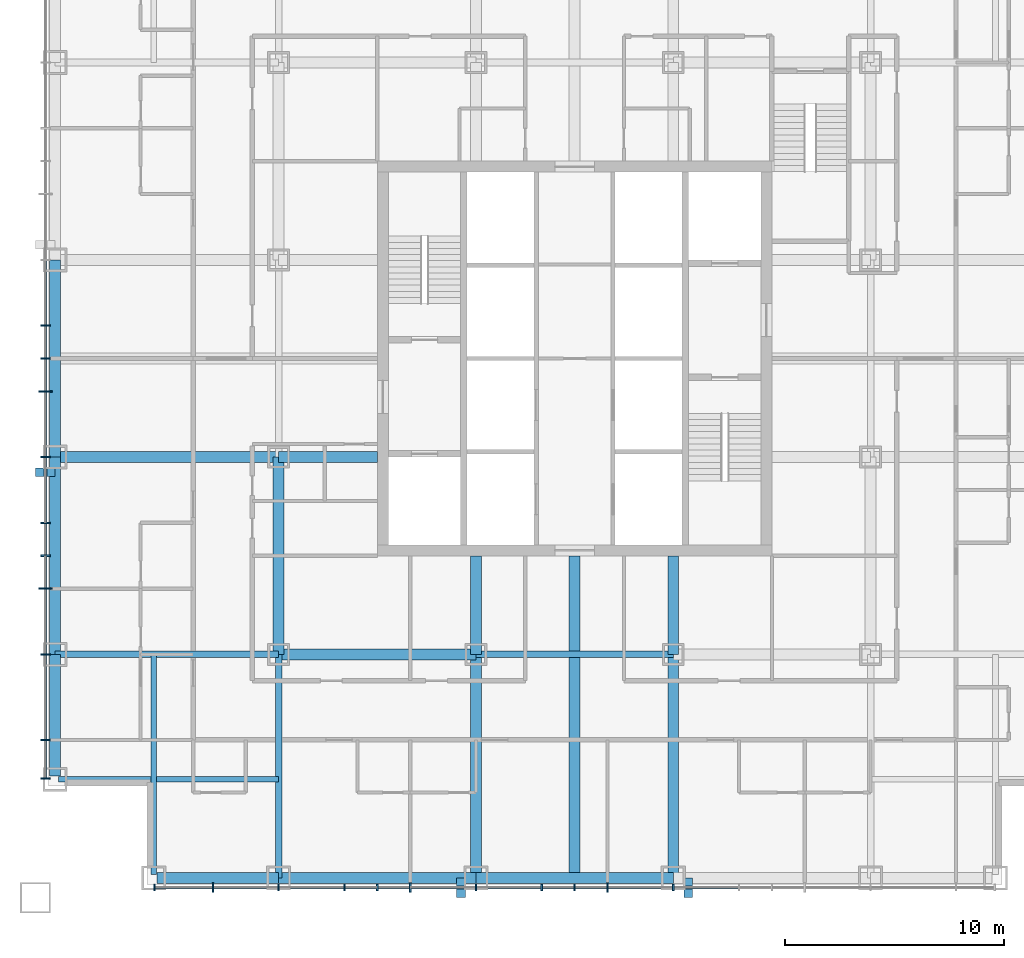
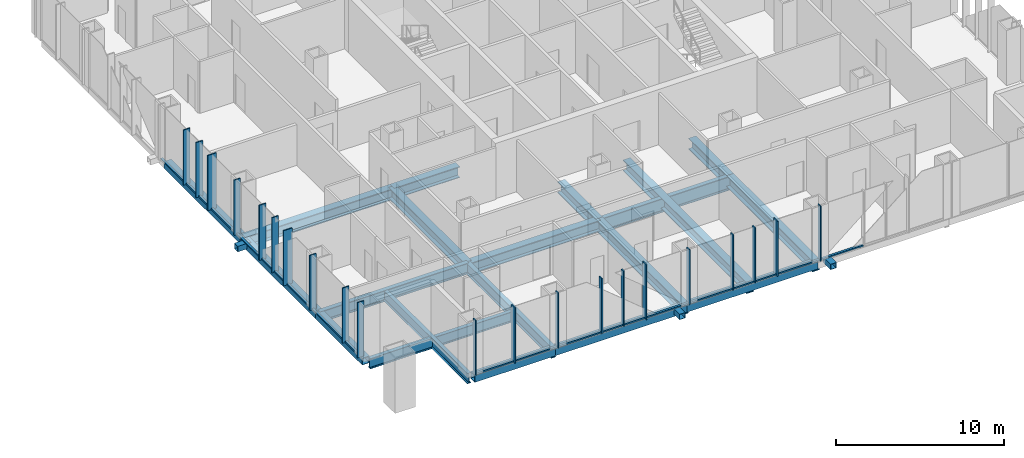
# One storey, part 2 of 18: 45 members, 20 beams, 2 elements without a shape of their own.
"""IFC4 building model written with IfcOpenShell, lengths in metres."""

from ifc_helpers import new_model, si_unit, direction, frame, origin, origin_2d, place, context, subcontext, project, spatial, rectangle, hollow_rectangle, i_section, extrude, material, layer, layer_set, material_profile, profile_set, type_object, element, aggregate, save


model = new_model("IFC4")

# Units and contexts
model_context = context("Model", 3, precision=1e-05, world=origin(), true_north=direction((0.0, 1.0)))
body_context = subcontext(model_context, "Body", "Model", "MODEL_VIEW")
ifc_project = project(units=[si_unit("LENGTHUNIT", "METRE"), si_unit("AREAUNIT", "SQUARE_METRE"), si_unit("VOLUMEUNIT", "CUBIC_METRE"), si_unit("PLANEANGLEUNIT", "RADIAN"), si_unit("MASSUNIT", "GRAM", prefix="KILO")], contexts=[model_context])

# Site, building, storey
site_placement = place(None, origin())
site = spatial("IfcSite", under=ifc_project, at=site_placement, CompositionType="ELEMENT")
building_placement = place(site_placement, origin())
building = spatial("IfcBuilding", under=site, at=building_placement, Name="Malebo Sky Hospital", CompositionType="ELEMENT")
storey_placement = place(building_placement, frame((0.0, 0.0, 124.0)))
storey = spatial("IfcBuildingStorey", under=building, at=storey_placement, Name="L29", CompositionType="ELEMENT", Elevation=124.0)

# Curtain wall, members
ifc_material_1 = material(Name="Anodised aluminium, natural silver", Category="aluminium")
ifc_layer_1 = layer(ifc_material_1, 0.25)
ifc_layer_set_1 = layer_set([ifc_layer_1], Name="WARD CURTAIN WALL EAST AND WEST")
curtain_wall_type_1 = type_object("IfcCurtainWallType", Name="WARD CURTAIN WALL EAST AND WEST", PredefinedType="NOTDEFINED", material=ifc_layer_set_1)
curtain_wall_1_placement = place(storey_placement, origin())
curtain_wall_1 = element("IfcCurtainWall", 1, at=curtain_wall_1_placement, inside=storey, type_object=curtain_wall_type_1, Name="EW curtain wall W", PredefinedType="NOTDEFINED")
ifc_material_profile_1 = material_profile(ifc_material_1, rectangle(XDim=0.14990234375, YDim=0.10009765625, at=origin_2d()), Name="ALUMINIUM TRANSOM 150x100")
ifc_profile_set_1 = profile_set([ifc_material_profile_1], Name="Anodised aluminium, natural silver")
member_type_1 = type_object("IfcMemberType", Name="ALUMINIUM TRANSOM 150x100", PredefinedType="USERDEFINED", material=ifc_profile_set_1)
member_1_placement = place(storey_placement, frame((35.864990234375, 42.875, 0.050048828125), z_axis=(0.0, 1.0, 0.0), x_axis=(-1.0, 0.0, 0.0)))
member_1 = element("IfcMember", 2, at=member_1_placement, type_object=member_type_1, Name="Transom 1", ObjectType="TRANSOM", PredefinedType="USERDEFINED", context=body_context, shape_type="SweptSolid", body=[
    extrude(rectangle(XDim=0.14990234375, YDim=0.10009765625, at=origin_2d()), origin(), (0.0, 0.0, 1.0), 1.6875),
])
member_2_placement = place(storey_placement, frame((35.864990234375, 44.637451171875, 0.050048828125), z_axis=(0.0, 1.0, 0.0), x_axis=(-1.0, 0.0, 0.0)))
member_2 = element("IfcMember", 3, at=member_2_placement, type_object=member_type_1, Name="Transom 2", ObjectType="TRANSOM", PredefinedType="USERDEFINED", context=body_context, shape_type="SweptSolid", body=[
    extrude(rectangle(XDim=0.14990234375, YDim=0.10009765625, at=origin_2d()), origin(), (0.0, 0.0, 1.0), 3.824951171875),
])
member_3_placement = place(storey_placement, frame((35.864990234375, 48.53759765625, 0.050048828125), z_axis=(0.0, 1.0, 0.0), x_axis=(-1.0, 0.0, 0.0)))
member_3 = element("IfcMember", 4, at=member_3_placement, type_object=member_type_1, Name="Transom 3", ObjectType="TRANSOM", PredefinedType="USERDEFINED", context=body_context, shape_type="SweptSolid", body=[
    extrude(rectangle(XDim=0.14990234375, YDim=0.10009765625, at=origin_2d()), origin(), (0.0, 0.0, 1.0), 2.9248046875),
])
member_4_placement = place(storey_placement, frame((35.864990234375, 51.53759765625, 0.050048828125), z_axis=(0.0, 1.0, 0.0), x_axis=(-1.0, 0.0, 0.0)))
member_4 = element("IfcMember", 5, at=member_4_placement, type_object=member_type_1, Name="Transom 4", ObjectType="TRANSOM", PredefinedType="USERDEFINED", context=body_context, shape_type="SweptSolid", body=[
    extrude(rectangle(XDim=0.14990234375, YDim=0.10009765625, at=origin_2d()), origin(), (0.0, 0.0, 1.0), 1.4248046875),
])
member_5_placement = place(storey_placement, frame((35.864990234375, 53.03759765625, 0.050048828125), z_axis=(0.0, 1.0, 0.0), x_axis=(-1.0, 0.0, 0.0)))
member_5 = element("IfcMember", 6, at=member_5_placement, type_object=member_type_1, Name="Transom 5", ObjectType="TRANSOM", PredefinedType="USERDEFINED", context=body_context, shape_type="SweptSolid", body=[
    extrude(rectangle(XDim=0.14990234375, YDim=0.10009765625, at=origin_2d()), origin(), (0.0, 0.0, 1.0), 1.4248046875),
])
member_6_placement = place(storey_placement, frame((35.864990234375, 54.53759765625, 0.050048828125), z_axis=(0.0, 1.0, 0.0), x_axis=(-1.0, 0.0, 0.0)))
member_6 = element("IfcMember", 7, at=member_6_placement, type_object=member_type_1, Name="Transom 6", ObjectType="TRANSOM", PredefinedType="USERDEFINED", context=body_context, shape_type="SweptSolid", body=[
    extrude(rectangle(XDim=0.14990234375, YDim=0.10009765625, at=origin_2d()), origin(), (0.0, 0.0, 1.0), 2.9248046875),
])
member_7_placement = place(storey_placement, frame((35.864990234375, 57.53759765625, 0.050048828125), z_axis=(0.0, 1.0, 0.0), x_axis=(-1.0, 0.0, 0.0)))
member_7 = element("IfcMember", 8, at=member_7_placement, type_object=member_type_1, Name="Transom 7", ObjectType="TRANSOM", PredefinedType="USERDEFINED", context=body_context, shape_type="SweptSolid", body=[
    extrude(rectangle(XDim=0.14990234375, YDim=0.10009765625, at=origin_2d()), origin(), (0.0, 0.0, 1.0), 2.9248046875),
])
member_8_placement = place(storey_placement, frame((35.864990234375, 60.53759765625, 0.050048828125), z_axis=(0.0, 1.0, 0.0), x_axis=(-1.0, 0.0, 0.0)))
member_8 = element("IfcMember", 9, at=member_8_placement, type_object=member_type_1, Name="Transom 8", ObjectType="TRANSOM", PredefinedType="USERDEFINED", context=body_context, shape_type="SweptSolid", body=[
    extrude(rectangle(XDim=0.14990234375, YDim=0.10009765625, at=origin_2d()), origin(), (0.0, 0.0, 1.0), 1.4248046875),
])
member_9_placement = place(storey_placement, frame((35.864990234375, 62.03759765625, 0.050048828125), z_axis=(0.0, 1.0, 0.0), x_axis=(-1.0, 0.0, 0.0)))
member_9 = element("IfcMember", 10, at=member_9_placement, type_object=member_type_1, Name="Transom 9", ObjectType="TRANSOM", PredefinedType="USERDEFINED", context=body_context, shape_type="SweptSolid", body=[
    extrude(rectangle(XDim=0.14990234375, YDim=0.10009765625, at=origin_2d()), origin(), (0.0, 0.0, 1.0), 1.4248046875),
])
member_10_placement = place(storey_placement, frame((35.864990234375, 63.53759765625, 0.050048828125), z_axis=(0.0, 1.0, 0.0), x_axis=(-1.0, 0.0, 0.0)))
member_10 = element("IfcMember", 11, at=member_10_placement, type_object=member_type_1, Name="Transom 10", ObjectType="TRANSOM", PredefinedType="USERDEFINED", context=body_context, shape_type="SweptSolid", body=[
    extrude(rectangle(XDim=0.14990234375, YDim=0.10009765625, at=origin_2d()), origin(), (0.0, 0.0, 1.0), 2.9248046875),
])

ifc_layer_2 = layer(ifc_material_1, 0.25)
ifc_layer_set_2 = layer_set([ifc_layer_2], Name="WARD CURTAIN WALL NORTH AND SOUTH")
curtain_wall_type_2 = type_object("IfcCurtainWallType", Name="WARD CURTAIN WALL NORTH AND SOUTH", PredefinedType="NOTDEFINED", material=ifc_layer_set_2)
curtain_wall_2_placement = place(storey_placement, origin())
curtain_wall_2 = element("IfcCurtainWall", 12, at=curtain_wall_2_placement, inside=storey, type_object=curtain_wall_type_2, Name="NS curtain wall S", PredefinedType="NOTDEFINED")
member_11_placement = place(storey_placement, frame((67.46240234375, 37.864990234375, 0.050048828125), z_axis=(-1.0, 0.0, 0.0), x_axis=(0.0, -1.0, 0.0)))
member_11 = element("IfcMember", 13, at=member_11_placement, type_object=member_type_1, Name="Transom 6", ObjectType="TRANSOM", PredefinedType="USERDEFINED", context=body_context, shape_type="SweptSolid", body=[
    extrude(rectangle(XDim=0.14990234375, YDim=0.10009765625, at=origin_2d()), origin(), (0.0, 0.0, 1.0), 2.9248046875),
])
member_12_placement = place(storey_placement, frame((64.46240234375, 37.864990234375, 0.050048828125), z_axis=(-1.0, 0.0, 0.0), x_axis=(0.0, -1.0, 0.0)))
member_12 = element("IfcMember", 14, at=member_12_placement, type_object=member_type_1, Name="Transom 7", ObjectType="TRANSOM", PredefinedType="USERDEFINED", context=body_context, shape_type="SweptSolid", body=[
    extrude(rectangle(XDim=0.14990234375, YDim=0.10009765625, at=origin_2d()), origin(), (0.0, 0.0, 1.0), 2.9248046875),
])
member_13_placement = place(storey_placement, frame((61.46240234375, 37.864990234375, 0.050048828125), z_axis=(-1.0, 0.0, 0.0), x_axis=(0.0, -1.0, 0.0)))
member_13 = element("IfcMember", 15, at=member_13_placement, type_object=member_type_1, Name="Transom 8", ObjectType="TRANSOM", PredefinedType="USERDEFINED", context=body_context, shape_type="SweptSolid", body=[
    extrude(rectangle(XDim=0.14990234375, YDim=0.10009765625, at=origin_2d()), origin(), (0.0, 0.0, 1.0), 1.4248046875),
])
member_14_placement = place(storey_placement, frame((59.96240234375, 37.864990234375, 0.050048828125), z_axis=(-1.0, 0.0, 0.0), x_axis=(0.0, -1.0, 0.0)))
member_14 = element("IfcMember", 16, at=member_14_placement, type_object=member_type_1, Name="Transom 9", ObjectType="TRANSOM", PredefinedType="USERDEFINED", context=body_context, shape_type="SweptSolid", body=[
    extrude(rectangle(XDim=0.14990234375, YDim=0.10009765625, at=origin_2d()), origin(), (0.0, 0.0, 1.0), 1.4248046875),
])
member_15_placement = place(storey_placement, frame((58.46240234375, 37.864990234375, 0.050048828125), z_axis=(-1.0, 0.0, 0.0), x_axis=(0.0, -1.0, 0.0)))
member_15 = element("IfcMember", 17, at=member_15_placement, type_object=member_type_1, Name="Transom 10", ObjectType="TRANSOM", PredefinedType="USERDEFINED", context=body_context, shape_type="SweptSolid", body=[
    extrude(rectangle(XDim=0.14990234375, YDim=0.10009765625, at=origin_2d()), origin(), (0.0, 0.0, 1.0), 2.9248046875),
])
member_16_placement = place(storey_placement, frame((55.46240234375, 37.864990234375, 0.050048828125), z_axis=(-1.0, 0.0, 0.0), x_axis=(0.0, -1.0, 0.0)))
member_16 = element("IfcMember", 18, at=member_16_placement, type_object=member_type_1, Name="Transom 11", ObjectType="TRANSOM", PredefinedType="USERDEFINED", context=body_context, shape_type="SweptSolid", body=[
    extrude(rectangle(XDim=0.14990234375, YDim=0.10009765625, at=origin_2d()), origin(), (0.0, 0.0, 1.0), 2.9248046875),
])
member_17_placement = place(storey_placement, frame((52.46240234375, 37.864990234375, 0.050048828125), z_axis=(-1.0, 0.0, 0.0), x_axis=(0.0, -1.0, 0.0)))
member_17 = element("IfcMember", 19, at=member_17_placement, type_object=member_type_1, Name="Transom 12", ObjectType="TRANSOM", PredefinedType="USERDEFINED", context=body_context, shape_type="SweptSolid", body=[
    extrude(rectangle(XDim=0.14990234375, YDim=0.10009765625, at=origin_2d()), origin(), (0.0, 0.0, 1.0), 1.4248046875),
])
member_18_placement = place(storey_placement, frame((50.96240234375, 37.864990234375, 0.050048828125), z_axis=(-1.0, 0.0, 0.0), x_axis=(0.0, -1.0, 0.0)))
member_18 = element("IfcMember", 20, at=member_18_placement, type_object=member_type_1, Name="Transom 13", ObjectType="TRANSOM", PredefinedType="USERDEFINED", context=body_context, shape_type="SweptSolid", body=[
    extrude(rectangle(XDim=0.14990234375, YDim=0.10009765625, at=origin_2d()), origin(), (0.0, 0.0, 1.0), 1.4248046875),
])
member_19_placement = place(storey_placement, frame((49.46240234375, 37.864990234375, 0.050048828125), z_axis=(-1.0, 0.0, 0.0), x_axis=(0.0, -1.0, 0.0)))
member_19 = element("IfcMember", 21, at=member_19_placement, type_object=member_type_1, Name="Transom 14", ObjectType="TRANSOM", PredefinedType="USERDEFINED", context=body_context, shape_type="SweptSolid", body=[
    extrude(rectangle(XDim=0.14990234375, YDim=0.10009765625, at=origin_2d()), origin(), (0.0, 0.0, 1.0), 2.9248046875),
])
member_20_placement = place(storey_placement, frame((46.46240234375, 37.864990234375, 0.050048828125), z_axis=(-1.0, 0.0, 0.0), x_axis=(0.0, -1.0, 0.0)))
member_20 = element("IfcMember", 22, at=member_20_placement, type_object=member_type_1, Name="Transom 15", ObjectType="TRANSOM", PredefinedType="USERDEFINED", context=body_context, shape_type="SweptSolid", body=[
    extrude(rectangle(XDim=0.14990234375, YDim=0.10009765625, at=origin_2d()), origin(), (0.0, 0.0, 1.0), 2.9248046875),
])
member_21_placement = place(storey_placement, frame((43.46240234375, 37.864990234375, 0.050048828125), z_axis=(-1.0, 0.0, 0.0), x_axis=(0.0, -1.0, 0.0)))
member_21 = element("IfcMember", 23, at=member_21_placement, type_object=member_type_1, Name="Transom 16", ObjectType="TRANSOM", PredefinedType="USERDEFINED", context=body_context, shape_type="SweptSolid", body=[
    extrude(rectangle(XDim=0.14990234375, YDim=0.10009765625, at=origin_2d()), origin(), (0.0, 0.0, 1.0), 2.58740234375),
])

# Members
ifc_material_2 = material(Name="Steel S355", Category="steel")
ifc_material_profile_2 = material_profile(ifc_material_2, hollow_rectangle(XDim=0.39990234375, YDim=0.39990234375, WallThickness=0.02001953125, at=origin_2d()), Name="SHS 400x20")
ifc_profile_set_2 = profile_set([ifc_material_profile_2], Name="Steel S355")
member_type_2 = type_object("IfcMemberType", Name="BRACE STRUT SHS 400x20", PredefinedType="STRUT", material=ifc_profile_set_2)
for number, where, z_axis, x_axis, name in (
    (24, (65.18701171875, 37.39990234375, -0.39990234375), (0.0, 1.0, 0.0), (-1.0, 0.0, 0.0), "Brace strut BS1 L29"),
    (25, (54.81298828125, 37.39990234375, -0.39990234375), (0.0, 1.0, 0.0), (-1.0, 0.0, 0.0), "Brace strut BS2 L29"),
    (26, (35.39990234375, 56.81298828125, -0.39990234375), (1.0, 0.0, 0.0), (0.0, 1.0, 0.0), "Brace strut BW1 L29"),
):
    element("IfcMember", number, at=place(storey_placement, frame(where, z_axis=z_axis, x_axis=x_axis)), inside=storey, type_object=member_type_2, Name=name, PredefinedType="STRUT", context=body_context, shape_type="SweptSolid", body=[
        extrude(hollow_rectangle(XDim=0.39990234375, YDim=0.39990234375, WallThickness=0.02001953125, at=origin_2d()), origin(), (0.0, 0.0, 1.0), 0.900146484375),
    ])

# Member
ifc_material_profile_3 = material_profile(ifc_material_1, rectangle(XDim=0.074951171875, YDim=0.300048828125, at=origin_2d()), Name="CW1 ALUMINIUM FIN MULLION 75x300")
ifc_profile_set_3 = profile_set([ifc_material_profile_3], Name="Anodised aluminium, natural silver")
member_type_3 = type_object("IfcMemberType", Name="CW1 ALUMINIUM FIN MULLION 75x300", PredefinedType="MULLION", material=ifc_profile_set_3)
member_22_placement = place(storey_placement, frame((64.5, 37.864990234375, 0.0), z_axis=(0.0, 0.0, 1.0), x_axis=(-1.0, 0.0, 0.0)))
member_22 = element("IfcMember", 27, at=member_22_placement, type_object=member_type_3, Name="Fin mullion 7", PredefinedType="MULLION", context=body_context, shape_type="SweptSolid", body=[
    extrude(rectangle(XDim=0.074951171875, YDim=0.300048828125, at=origin_2d()), origin(), (0.0, 0.0, 1.0), 4.0),
])

member_23_placement = place(storey_placement, frame((60.0, 37.864990234375, 0.0), z_axis=(0.0, 0.0, 1.0), x_axis=(-1.0, 0.0, 0.0)))
member_23 = element("IfcMember", 28, at=member_23_placement, type_object=member_type_3, Name="Fin mullion 9", PredefinedType="MULLION", context=body_context, shape_type="SweptSolid", body=[
    extrude(rectangle(XDim=0.074951171875, YDim=0.300048828125, at=origin_2d()), origin(), (0.0, 0.0, 1.0), 4.0),
])

member_24_placement = place(storey_placement, frame((58.5, 37.864990234375, 0.0), z_axis=(0.0, 0.0, 1.0), x_axis=(-1.0, 0.0, 0.0)))
member_24 = element("IfcMember", 29, at=member_24_placement, type_object=member_type_3, Name="Fin mullion 10", PredefinedType="MULLION", context=body_context, shape_type="SweptSolid", body=[
    extrude(rectangle(XDim=0.074951171875, YDim=0.300048828125, at=origin_2d()), origin(), (0.0, 0.0, 1.0), 4.0),
])

member_25_placement = place(storey_placement, frame((55.5, 37.864990234375, 0.0), z_axis=(0.0, 0.0, 1.0), x_axis=(-1.0, 0.0, 0.0)))
member_25 = element("IfcMember", 30, at=member_25_placement, type_object=member_type_3, Name="Fin mullion 11", PredefinedType="MULLION", context=body_context, shape_type="SweptSolid", body=[
    extrude(rectangle(XDim=0.074951171875, YDim=0.300048828125, at=origin_2d()), origin(), (0.0, 0.0, 1.0), 4.0),
])

member_26_placement = place(storey_placement, frame((51.0, 37.864990234375, 0.0), z_axis=(0.0, 0.0, 1.0), x_axis=(-1.0, 0.0, 0.0)))
member_26 = element("IfcMember", 31, at=member_26_placement, type_object=member_type_3, Name="Fin mullion 13", PredefinedType="MULLION", context=body_context, shape_type="SweptSolid", body=[
    extrude(rectangle(XDim=0.074951171875, YDim=0.300048828125, at=origin_2d()), origin(), (0.0, 0.0, 1.0), 4.0),
])

member_27_placement = place(storey_placement, frame((49.5, 37.864990234375, 0.0), z_axis=(0.0, 0.0, 1.0), x_axis=(-1.0, 0.0, 0.0)))
member_27 = element("IfcMember", 32, at=member_27_placement, type_object=member_type_3, Name="Fin mullion 14", PredefinedType="MULLION", context=body_context, shape_type="SweptSolid", body=[
    extrude(rectangle(XDim=0.074951171875, YDim=0.300048828125, at=origin_2d()), origin(), (0.0, 0.0, 1.0), 4.0),
])

member_28_placement = place(storey_placement, frame((46.5, 37.864990234375, 0.0), z_axis=(0.0, 0.0, 1.0), x_axis=(-1.0, 0.0, 0.0)))
member_28 = element("IfcMember", 33, at=member_28_placement, type_object=member_type_3, Name="Fin mullion 15", PredefinedType="MULLION", context=body_context, shape_type="SweptSolid", body=[
    extrude(rectangle(XDim=0.074951171875, YDim=0.300048828125, at=origin_2d()), origin(), (0.0, 0.0, 1.0), 4.0),
])

member_29_placement = place(storey_placement, frame((40.83740234375, 37.864990234375, 0.0), z_axis=(0.0, 0.0, 1.0), x_axis=(-1.0, 0.0, 0.0)))
member_29 = element("IfcMember", 34, at=member_29_placement, type_object=member_type_3, Name="Fin mullion 17", PredefinedType="MULLION", context=body_context, shape_type="SweptSolid", body=[
    extrude(rectangle(XDim=0.074951171875, YDim=0.300048828125, at=origin_2d()), origin(), (0.0, 0.0, 1.0), 4.0),
])

ifc_material_profile_4 = material_profile(ifc_material_1, rectangle(XDim=0.074951171875, YDim=0.449951171875, at=origin_2d()), Name="CW1 ALUMINIUM FIN MULLION 75x450")
ifc_profile_set_4 = profile_set([ifc_material_profile_4], Name="Anodised aluminium, natural silver")
member_type_4 = type_object("IfcMemberType", Name="CW1 ALUMINIUM FIN MULLION 75x450", PredefinedType="MULLION", material=ifc_profile_set_4)
member_30_placement = place(storey_placement, frame((61.5, 37.864990234375, 0.0), z_axis=(0.0, 0.0, 1.0), x_axis=(-1.0, 0.0, 0.0)))
member_30 = element("IfcMember", 35, at=member_30_placement, type_object=member_type_4, Name="Fin mullion 8", PredefinedType="MULLION", context=body_context, shape_type="SweptSolid", body=[
    extrude(rectangle(XDim=0.074951171875, YDim=0.449951171875, at=origin_2d()), origin(), (0.0, 0.0, 1.0), 4.0),
])

member_31_placement = place(storey_placement, frame((52.5, 37.864990234375, 0.0), z_axis=(0.0, 0.0, 1.0), x_axis=(-1.0, 0.0, 0.0)))
member_31 = element("IfcMember", 36, at=member_31_placement, type_object=member_type_4, Name="Fin mullion 12", PredefinedType="MULLION", context=body_context, shape_type="SweptSolid", body=[
    extrude(rectangle(XDim=0.074951171875, YDim=0.449951171875, at=origin_2d()), origin(), (0.0, 0.0, 1.0), 4.0),
])

member_32_placement = place(storey_placement, frame((43.5, 37.864990234375, 0.0), z_axis=(0.0, 0.0, 1.0), x_axis=(-1.0, 0.0, 0.0)))
member_32 = element("IfcMember", 37, at=member_32_placement, type_object=member_type_4, Name="Fin mullion 16", PredefinedType="MULLION", context=body_context, shape_type="SweptSolid", body=[
    extrude(rectangle(XDim=0.074951171875, YDim=0.449951171875, at=origin_2d()), origin(), (0.0, 0.0, 1.0), 4.0),
])

aggregate(curtain_wall_2, [member_22, member_30, member_23, member_24, member_25, member_31, member_26, member_27, member_28, member_32, member_29, member_11, member_12, member_13, member_14, member_15, member_16, member_17, member_18, member_19, member_20, member_21])

ifc_material_profile_5 = material_profile(ifc_material_1, rectangle(XDim=0.074951171875, YDim=0.449951171875, at=origin_2d()), Name="CW2 ALUMINIUM FIN MULLION 75x450")
ifc_profile_set_5 = profile_set([ifc_material_profile_5], Name="Anodised aluminium, natural silver")
member_type_5 = type_object("IfcMemberType", Name="CW2 ALUMINIUM FIN MULLION 75x450", PredefinedType="MULLION", material=ifc_profile_set_5)
member_33_placement = place(storey_placement, frame((35.864990234375, 42.83740234375, 0.0), z_axis=(0.0, 0.0, 1.0), x_axis=(0.0, 1.0, 0.0)))
member_33 = element("IfcMember", 38, at=member_33_placement, type_object=member_type_5, Name="Fin mullion 1", PredefinedType="MULLION", context=body_context, shape_type="SweptSolid", body=[
    extrude(rectangle(XDim=0.074951171875, YDim=0.449951171875, at=origin_2d()), origin(), (0.0, 0.0, 1.0), 4.0),
])

member_34_placement = place(storey_placement, frame((35.864990234375, 44.60009765625, 0.0), z_axis=(0.0, 0.0, 1.0), x_axis=(0.0, 1.0, 0.0)))
member_34 = element("IfcMember", 39, at=member_34_placement, type_object=member_type_5, Name="Fin mullion 2", PredefinedType="MULLION", context=body_context, shape_type="SweptSolid", body=[
    extrude(rectangle(XDim=0.074951171875, YDim=0.449951171875, at=origin_2d()), origin(), (0.0, 0.0, 1.0), 4.0),
])

member_35_placement = place(storey_placement, frame((35.864990234375, 48.5, 0.0), z_axis=(0.0, 0.0, 1.0), x_axis=(0.0, 1.0, 0.0)))
member_35 = element("IfcMember", 40, at=member_35_placement, type_object=member_type_5, Name="Fin mullion 3", PredefinedType="MULLION", context=body_context, shape_type="SweptSolid", body=[
    extrude(rectangle(XDim=0.074951171875, YDim=0.449951171875, at=origin_2d()), origin(), (0.0, 0.0, 1.0), 4.0),
])

member_36_placement = place(storey_placement, frame((35.864990234375, 53.0, 0.0), z_axis=(0.0, 0.0, 1.0), x_axis=(0.0, 1.0, 0.0)))
member_36 = element("IfcMember", 41, at=member_36_placement, type_object=member_type_5, Name="Fin mullion 5", PredefinedType="MULLION", context=body_context, shape_type="SweptSolid", body=[
    extrude(rectangle(XDim=0.074951171875, YDim=0.449951171875, at=origin_2d()), origin(), (0.0, 0.0, 1.0), 4.0),
])

member_37_placement = place(storey_placement, frame((35.864990234375, 54.5, 0.0), z_axis=(0.0, 0.0, 1.0), x_axis=(0.0, 1.0, 0.0)))
member_37 = element("IfcMember", 42, at=member_37_placement, type_object=member_type_5, Name="Fin mullion 6", PredefinedType="MULLION", context=body_context, shape_type="SweptSolid", body=[
    extrude(rectangle(XDim=0.074951171875, YDim=0.449951171875, at=origin_2d()), origin(), (0.0, 0.0, 1.0), 4.0),
])

member_38_placement = place(storey_placement, frame((35.864990234375, 57.5, 0.0), z_axis=(0.0, 0.0, 1.0), x_axis=(0.0, 1.0, 0.0)))
member_38 = element("IfcMember", 43, at=member_38_placement, type_object=member_type_5, Name="Fin mullion 7", PredefinedType="MULLION", context=body_context, shape_type="SweptSolid", body=[
    extrude(rectangle(XDim=0.074951171875, YDim=0.449951171875, at=origin_2d()), origin(), (0.0, 0.0, 1.0), 4.0),
])

member_39_placement = place(storey_placement, frame((35.864990234375, 62.0, 0.0), z_axis=(0.0, 0.0, 1.0), x_axis=(0.0, 1.0, 0.0)))
member_39 = element("IfcMember", 44, at=member_39_placement, type_object=member_type_5, Name="Fin mullion 9", PredefinedType="MULLION", context=body_context, shape_type="SweptSolid", body=[
    extrude(rectangle(XDim=0.074951171875, YDim=0.449951171875, at=origin_2d()), origin(), (0.0, 0.0, 1.0), 4.0),
])

member_40_placement = place(storey_placement, frame((35.864990234375, 63.5, 0.0), z_axis=(0.0, 0.0, 1.0), x_axis=(0.0, 1.0, 0.0)))
member_40 = element("IfcMember", 45, at=member_40_placement, type_object=member_type_5, Name="Fin mullion 10", PredefinedType="MULLION", context=body_context, shape_type="SweptSolid", body=[
    extrude(rectangle(XDim=0.074951171875, YDim=0.449951171875, at=origin_2d()), origin(), (0.0, 0.0, 1.0), 4.0),
])

ifc_material_profile_6 = material_profile(ifc_material_1, rectangle(XDim=0.074951171875, YDim=0.60009765625, at=origin_2d()), Name="CW2 ALUMINIUM FIN MULLION 75x600")
ifc_profile_set_6 = profile_set([ifc_material_profile_6], Name="Anodised aluminium, natural silver")
member_type_6 = type_object("IfcMemberType", Name="CW2 ALUMINIUM FIN MULLION 75x600", PredefinedType="MULLION", material=ifc_profile_set_6)
member_41_placement = place(storey_placement, frame((35.864990234375, 51.5, 0.0), z_axis=(0.0, 0.0, 1.0), x_axis=(0.0, 1.0, 0.0)))
member_41 = element("IfcMember", 46, at=member_41_placement, type_object=member_type_6, Name="Fin mullion 4", PredefinedType="MULLION", context=body_context, shape_type="SweptSolid", body=[
    extrude(rectangle(XDim=0.074951171875, YDim=0.60009765625, at=origin_2d()), origin(), (0.0, 0.0, 1.0), 4.0),
])

member_42_placement = place(storey_placement, frame((35.864990234375, 60.5, 0.0), z_axis=(0.0, 0.0, 1.0), x_axis=(0.0, 1.0, 0.0)))
member_42 = element("IfcMember", 47, at=member_42_placement, type_object=member_type_6, Name="Fin mullion 8", PredefinedType="MULLION", context=body_context, shape_type="SweptSolid", body=[
    extrude(rectangle(XDim=0.074951171875, YDim=0.60009765625, at=origin_2d()), origin(), (0.0, 0.0, 1.0), 4.0),
])

aggregate(curtain_wall_1, [member_33, member_34, member_35, member_41, member_36, member_37, member_38, member_42, member_39, member_40, member_1, member_2, member_3, member_4, member_5, member_6, member_7, member_8, member_9, member_10])

# Beams
ifc_material_3 = material(Name="Steel S460", Category="steel")
ifc_material_profile_7 = material_profile(ifc_material_3, hollow_rectangle(XDim=0.5, YDim=0.5, WallThickness=0.030029296875, at=origin_2d()), Name="BOX 500x500x30")
ifc_profile_set_7 = profile_set([ifc_material_profile_7], Name="Steel S460")
beam_type_1 = type_object("IfcBeamType", Name="EDGE BEAM BOX 500x500x30", PredefinedType="BEAM", material=ifc_profile_set_7)
beam_1_placement = place(storey_placement, frame((36.300048828125, 42.949951171875, -0.5), z_axis=(0.0, 1.0, 0.0), x_axis=(-1.0, 0.0, 0.0)))
element("IfcBeam", 48, at=beam_1_placement, inside=storey, type_object=beam_type_1, Name="Beam 000 L29", PredefinedType="BEAM", context=body_context, shape_type="SweptSolid", body=[
    extrude(hollow_rectangle(XDim=0.5, YDim=0.5, WallThickness=0.030029296875, at=origin_2d()), origin(), (0.0, 0.0, 1.0), 5.550048828125),
])
for number, where, z_axis, x_axis, name in (
    (49, (36.300048828125, 48.5, -0.5), (0.0, 1.0, 0.0), (-1.0, 0.0, 0.0), "Beam 001 L29"),
    (50, (36.300048828125, 57.5, -0.5), (0.0, 1.0, 0.0), (-1.0, 0.0, 0.0), "Beam 002 L29"),
):
    element("IfcBeam", number, at=place(storey_placement, frame(where, z_axis=z_axis, x_axis=x_axis)), inside=storey, type_object=beam_type_1, Name=name, PredefinedType="BEAM", context=body_context, shape_type="SweptSolid", body=[
        extrude(hollow_rectangle(XDim=0.5, YDim=0.5, WallThickness=0.030029296875, at=origin_2d()), origin(), (0.0, 0.0, 1.0), 9.0),
    ])
beam_2_placement = place(storey_placement, frame((40.949951171875, 38.300048828125, -0.5), z_axis=(1.0, 0.0, 0.0), x_axis=(0.0, 1.0, 0.0)))
element("IfcBeam", 51, at=beam_2_placement, inside=storey, type_object=beam_type_1, Name="Beam 034 L29", PredefinedType="BEAM", context=body_context, shape_type="SweptSolid", body=[
    extrude(hollow_rectangle(XDim=0.5, YDim=0.5, WallThickness=0.030029296875, at=origin_2d()), origin(), (0.0, 0.0, 1.0), 5.550048828125),
])
for number, where, z_axis, x_axis, name in (
    (52, (46.5, 38.300048828125, -0.5), (1.0, 0.0, 0.0), (0.0, 1.0, 0.0), "Beam 035 L29"),
    (53, (55.5, 38.300048828125, -0.5), (1.0, 0.0, 0.0), (0.0, 1.0, 0.0), "Beam 036 L29"),
):
    element("IfcBeam", number, at=place(storey_placement, frame(where, z_axis=z_axis, x_axis=x_axis)), inside=storey, type_object=beam_type_1, Name=name, PredefinedType="BEAM", context=body_context, shape_type="SweptSolid", body=[
        extrude(hollow_rectangle(XDim=0.5, YDim=0.5, WallThickness=0.030029296875, at=origin_2d()), origin(), (0.0, 0.0, 1.0), 9.0),
    ])
ifc_material_profile_8 = material_profile(ifc_material_2, i_section(OverallWidth=0.262939453125, OverallDepth=0.7529296875, WebThickness=0.011474609375, FlangeThickness=0.01708984375, FilletRadius=0.01708984375, at=origin_2d()), Name="IPE 750x137")
ifc_profile_set_8 = profile_set([ifc_material_profile_8], Name="Steel S355")
beam_type_2 = type_object("IfcBeamType", Name="FLOOR BEAM IPE 750x137", PredefinedType="BEAM", material=ifc_profile_set_8)
for number, where, z_axis, x_axis, name in (
    (54, (40.800048828125, 38.449951171875, -0.62646484375), (0.0, 1.0, 0.0), (-1.0, 0.0, 0.0), "Beam 005 L29"),
    (55, (36.449951171875, 42.800048828125, -0.62646484375), (1.0, 0.0, 0.0), (0.0, 1.0, 0.0), "Beam 039 L29"),
):
    element("IfcBeam", number, at=place(storey_placement, frame(where, z_axis=z_axis, x_axis=x_axis)), inside=storey, type_object=beam_type_2, Name=name, PredefinedType="BEAM", context=body_context, shape_type="SweptSolid", body=[
        extrude(i_section(OverallWidth=0.262939453125, OverallDepth=0.7529296875, WebThickness=0.011474609375, FlangeThickness=0.01708984375, FilletRadius=0.01708984375, at=origin_2d()), origin(), (0.0, 0.0, 1.0), 10.050048828125),
    ])
ifc_material_profile_9 = material_profile(ifc_material_2, i_section(OverallWidth=0.5, OverallDepth=0.800048828125, WebThickness=0.030029296875, FlangeThickness=0.050048828125, at=origin_2d()), Name="PG 800x500x30x50")
ifc_profile_set_9 = profile_set([ifc_material_profile_9], Name="Steel S355")
beam_type_3 = type_object("IfcBeamType", Name="FLOOR BEAM PG 800x500x30x50", PredefinedType="BEAM", material=ifc_profile_set_9)
beam_3_placement = place(storey_placement, frame((46.5, 48.5, -0.64990234375), z_axis=(0.0, 1.0, 0.0), x_axis=(-1.0, 0.0, 0.0)))
element("IfcBeam", 56, at=beam_3_placement, inside=storey, type_object=beam_type_3, Name="Beam 008 L29", PredefinedType="BEAM", context=body_context, shape_type="SweptSolid", body=[
    extrude(i_section(OverallWidth=0.5, OverallDepth=0.800048828125, WebThickness=0.030029296875, FlangeThickness=0.050048828125, at=origin_2d()), origin(), (0.0, 0.0, 1.0), 9.0),
])
beam_4_placement = place(storey_placement, frame((55.5, 38.300048828125, -0.64990234375), z_axis=(0.0, 1.0, 0.0), x_axis=(-1.0, 0.0, 0.0)))
element("IfcBeam", 57, at=beam_4_placement, inside=storey, type_object=beam_type_3, Name="Beam 012 L29", PredefinedType="BEAM", context=body_context, shape_type="SweptSolid", body=[
    extrude(i_section(OverallWidth=0.5, OverallDepth=0.800048828125, WebThickness=0.030029296875, FlangeThickness=0.050048828125, at=origin_2d()), origin(), (0.0, 0.0, 1.0), 10.199951171875),
])
beam_5_placement = place(storey_placement, frame((55.5, 48.5, -0.64990234375), z_axis=(0.0, 1.0, 0.0), x_axis=(-1.0, 0.0, 0.0)))
element("IfcBeam", 58, at=beam_5_placement, inside=storey, type_object=beam_type_3, Name="Beam 013 L29", PredefinedType="BEAM", context=body_context, shape_type="SweptSolid", body=[
    extrude(i_section(OverallWidth=0.5, OverallDepth=0.800048828125, WebThickness=0.030029296875, FlangeThickness=0.050048828125, at=origin_2d()), origin(), (0.0, 0.0, 1.0), 4.5),
])
beam_6_placement = place(storey_placement, frame((60.0, 38.300048828125, -0.64990234375), z_axis=(0.0, 1.0, 0.0), x_axis=(-1.0, 0.0, 0.0)))
element("IfcBeam", 59, at=beam_6_placement, inside=storey, type_object=beam_type_3, Name="Beam 016 L29", PredefinedType="BEAM", context=body_context, shape_type="SweptSolid", body=[
    extrude(i_section(OverallWidth=0.5, OverallDepth=0.800048828125, WebThickness=0.030029296875, FlangeThickness=0.050048828125, at=origin_2d()), origin(), (0.0, 0.0, 1.0), 14.699951171875),
])
beam_7_placement = place(storey_placement, frame((64.5, 38.300048828125, -0.64990234375), z_axis=(0.0, 1.0, 0.0), x_axis=(-1.0, 0.0, 0.0)))
element("IfcBeam", 60, at=beam_7_placement, inside=storey, type_object=beam_type_3, Name="Beam 018 L29", PredefinedType="BEAM", context=body_context, shape_type="SweptSolid", body=[
    extrude(i_section(OverallWidth=0.5, OverallDepth=0.800048828125, WebThickness=0.030029296875, FlangeThickness=0.050048828125, at=origin_2d()), origin(), (0.0, 0.0, 1.0), 10.199951171875),
])
beam_8_placement = place(storey_placement, frame((64.5, 48.5, -0.64990234375), z_axis=(0.0, 1.0, 0.0), x_axis=(-1.0, 0.0, 0.0)))
element("IfcBeam", 61, at=beam_8_placement, inside=storey, type_object=beam_type_3, Name="Beam 019 L29", PredefinedType="BEAM", context=body_context, shape_type="SweptSolid", body=[
    extrude(i_section(OverallWidth=0.5, OverallDepth=0.800048828125, WebThickness=0.030029296875, FlangeThickness=0.050048828125, at=origin_2d()), origin(), (0.0, 0.0, 1.0), 4.5),
])
beam_9_placement = place(storey_placement, frame((46.5, 48.5, -0.64990234375), z_axis=(1.0, 0.0, 0.0), x_axis=(0.0, 1.0, 0.0)))
element("IfcBeam", 62, at=beam_9_placement, inside=storey, type_object=beam_type_3, Name="Beam 042 L29", PredefinedType="BEAM", context=body_context, shape_type="SweptSolid", body=[
    extrude(i_section(OverallWidth=0.5, OverallDepth=0.800048828125, WebThickness=0.030029296875, FlangeThickness=0.050048828125, at=origin_2d()), origin(), (0.0, 0.0, 1.0), 9.0),
])
beam_10_placement = place(storey_placement, frame((36.300048828125, 57.5, -0.64990234375), z_axis=(1.0, 0.0, 0.0), x_axis=(0.0, 1.0, 0.0)))
element("IfcBeam", 63, at=beam_10_placement, inside=storey, type_object=beam_type_3, Name="Beam 046 L29", PredefinedType="BEAM", context=body_context, shape_type="SweptSolid", body=[
    extrude(i_section(OverallWidth=0.5, OverallDepth=0.800048828125, WebThickness=0.030029296875, FlangeThickness=0.050048828125, at=origin_2d()), origin(), (0.0, 0.0, 1.0), 10.199951171875),
])
beam_11_placement = place(storey_placement, frame((46.5, 57.5, -0.64990234375), z_axis=(1.0, 0.0, 0.0), x_axis=(0.0, 1.0, 0.0)))
element("IfcBeam", 64, at=beam_11_placement, inside=storey, type_object=beam_type_3, Name="Beam 047 L29", PredefinedType="BEAM", context=body_context, shape_type="SweptSolid", body=[
    extrude(i_section(OverallWidth=0.5, OverallDepth=0.800048828125, WebThickness=0.030029296875, FlangeThickness=0.050048828125, at=origin_2d()), origin(), (0.0, 0.0, 1.0), 4.5),
])
ifc_material_profile_10 = material_profile(ifc_material_2, i_section(OverallWidth=0.300048828125, OverallDepth=0.800048828125, WebThickness=0.017578125, FlangeThickness=0.032958984375, FilletRadius=0.030029296875, at=origin_2d()), Name="HEB 800")
ifc_profile_set_10 = profile_set([ifc_material_profile_10], Name="Steel S355")
beam_type_4 = type_object("IfcBeamType", Name="FLOOR GIRDER HEB 800", PredefinedType="BEAM", material=ifc_profile_set_10)
for number, where, z_axis, x_axis, name in (
    (65, (46.5, 38.300048828125, -0.64990234375), (0.0, 1.0, 0.0), (-1.0, 0.0, 0.0), "Beam 007 L29"),
    (66, (36.300048828125, 48.5, -0.64990234375), (1.0, 0.0, 0.0), (0.0, 1.0, 0.0), "Beam 041 L29"),
):
    element("IfcBeam", number, at=place(storey_placement, frame(where, z_axis=z_axis, x_axis=x_axis)), inside=storey, type_object=beam_type_4, Name=name, PredefinedType="BEAM", context=body_context, shape_type="SweptSolid", body=[
        extrude(i_section(OverallWidth=0.300048828125, OverallDepth=0.800048828125, WebThickness=0.017578125, FlangeThickness=0.032958984375, FilletRadius=0.030029296875, at=origin_2d()), origin(), (0.0, 0.0, 1.0), 10.199951171875),
    ])
ifc_material_profile_11 = material_profile(ifc_material_2, i_section(OverallWidth=0.300048828125, OverallDepth=1.0, WebThickness=0.01904296875, FlangeThickness=0.035888671875, FilletRadius=0.030029296875, at=origin_2d()), Name="HEB 1000")
ifc_profile_set_11 = profile_set([ifc_material_profile_11], Name="Steel S355")
beam_type_5 = type_object("IfcBeamType", Name="RING GIRDER HEB 1000", PredefinedType="BEAM", material=ifc_profile_set_11)
beam_12_placement = place(storey_placement, frame((55.5, 48.5, -0.75), z_axis=(1.0, 0.0, 0.0), x_axis=(0.0, 1.0, 0.0)))
element("IfcBeam", 67, at=beam_12_placement, inside=storey, type_object=beam_type_5, Name="Beam 043 L29", PredefinedType="BEAM", context=body_context, shape_type="SweptSolid", body=[
    extrude(i_section(OverallWidth=0.300048828125, OverallDepth=1.0, WebThickness=0.01904296875, FlangeThickness=0.035888671875, FilletRadius=0.030029296875, at=origin_2d()), origin(), (0.0, 0.0, 1.0), 9.0),
])

save(model, "model.ifc")
